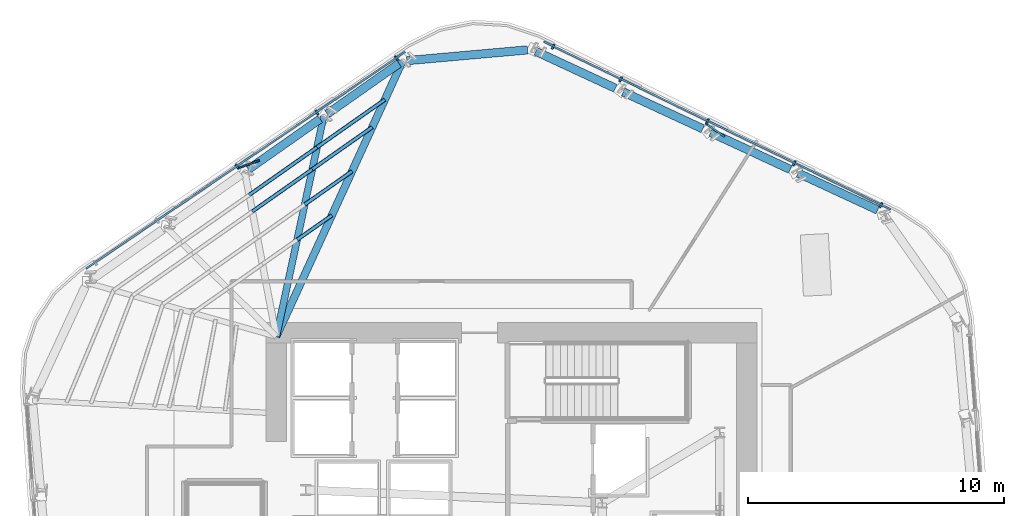
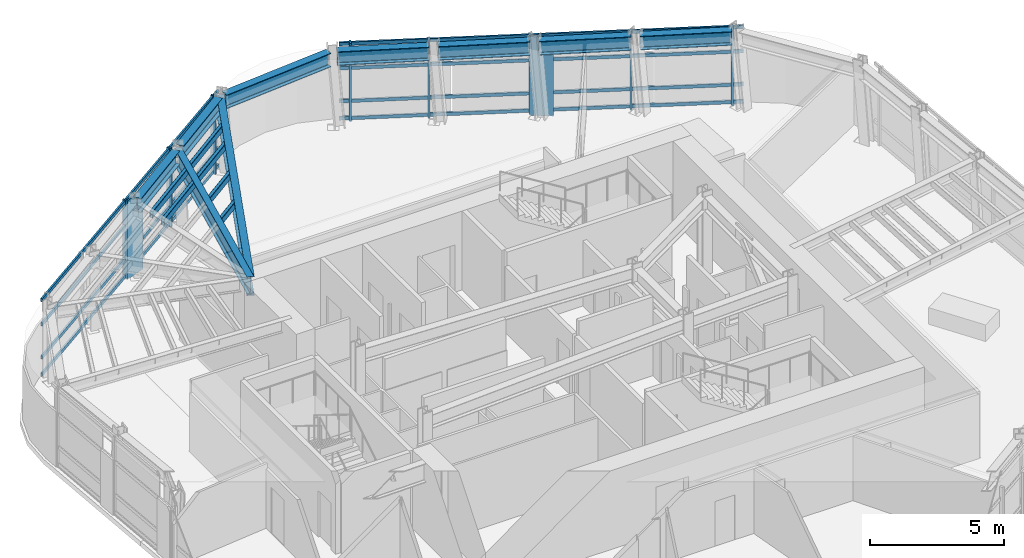
# One storey, part 6 of 15: 24 members, 9 beams, 2 elements without a shape of their own.
"""IFC4 building model written with IfcOpenShell, lengths in metres."""

from ifc_helpers import new_model, si_unit, direction, frame, origin, origin_2d, place, context, subcontext, project, spatial, rectangle, hollow_rectangle, i_section, extrude, material, layer, layer_set, material_profile, profile_set, type_object, element, aggregate, save


model = new_model("IFC4")

# Units and contexts
model_context = context("Model", 3, precision=1e-05, world=origin(), true_north=direction((0.0, 1.0)))
body_context = subcontext(model_context, "Body", "Model", "MODEL_VIEW")
ifc_project = project(units=[si_unit("LENGTHUNIT", "METRE"), si_unit("AREAUNIT", "SQUARE_METRE"), si_unit("VOLUMEUNIT", "CUBIC_METRE"), si_unit("PLANEANGLEUNIT", "RADIAN"), si_unit("MASSUNIT", "GRAM", prefix="KILO")], contexts=[model_context])

# Site, building, storey
site_placement = place(None, origin())
site = spatial("IfcSite", under=ifc_project, at=site_placement, CompositionType="ELEMENT")
building_placement = place(site_placement, origin())
building = spatial("IfcBuilding", under=site, at=building_placement, Name="Valkerne Bourse Tower", CompositionType="ELEMENT")
storey_placement = place(building_placement, frame((0.0, 0.0, 170.39990234375)))
storey = spatial("IfcBuildingStorey", under=building, at=storey_placement, Name="L43", CompositionType="ELEMENT", Elevation=170.39990234375)

# Beams
ifc_material_1 = material(Name="Steel ASTM A992", Category="steel")
ifc_material_profile_1 = material_profile(ifc_material_1, i_section(OverallWidth=0.32763671875, OverallDepth=0.62744140625, WebThickness=0.0166015625, FlangeThickness=0.027587890625, FilletRadius=0.020263671875, at=origin_2d()), Name="W24X146")
ifc_profile_set_1 = profile_set([ifc_material_profile_1], Name="Steel ASTM A992")
beam_type_1 = type_object("IfcBeamType", Name="BM-W24X146", PredefinedType="SPANDREL", material=ifc_profile_set_1)
beam_1_placement = place(storey_placement, frame((61.125732421875, 40.352783203125, 3.266357421875), z_axis=(-0.907042938145, 0.421038131718, 0.0), x_axis=(-0.421038131718, -0.907042938145, 0.0)))
element("IfcBeam", 1, at=beam_1_placement, inside=storey, type_object=beam_type_1, Name="L43 Hexagonal Spandrel Ring Beam 00", PredefinedType="SPANDREL", context=body_context, shape_type="SweptSolid", body=[
    extrude(i_section(OverallWidth=0.32763671875, OverallDepth=0.62744140625, WebThickness=0.0166015625, FlangeThickness=0.027587890625, FilletRadius=0.020263671875, at=origin_2d()), origin(), (0.0, 0.0, 1.0), 3.430908203125),
])
beam_2_placement = place(storey_placement, frame((57.705078125, 41.940673828125, 3.266357421875), z_axis=(-0.907057499666, 0.421006760397, 0.0), x_axis=(-0.421006760397, -0.907057499666, 0.0)))
element("IfcBeam", 2, at=beam_2_placement, inside=storey, type_object=beam_type_1, Name="L43 Hexagonal Spandrel Ring Beam 01", PredefinedType="SPANDREL", context=body_context, shape_type="SweptSolid", body=[
    extrude(i_section(OverallWidth=0.32763671875, OverallDepth=0.62744140625, WebThickness=0.0166015625, FlangeThickness=0.027587890625, FilletRadius=0.020263671875, at=origin_2d()), origin(), (0.0, 0.0, 1.0), 3.4306640625),
])
beam_3_placement = place(storey_placement, frame((54.284912109375, 43.5283203125, 3.266357421875), z_axis=(-0.907055551212, 0.421010958309, 0.0), x_axis=(-0.421010958309, -0.907055551212, 0.0)))
element("IfcBeam", 3, at=beam_3_placement, inside=storey, type_object=beam_type_1, Name="L43 Hexagonal Spandrel Ring Beam 02", PredefinedType="SPANDREL", context=body_context, shape_type="SweptSolid", body=[
    extrude(i_section(OverallWidth=0.32763671875, OverallDepth=0.62744140625, WebThickness=0.0166015625, FlangeThickness=0.027587890625, FilletRadius=0.020263671875, at=origin_2d()), origin(), (0.0, 0.0, 1.0), 3.43115234375),
])
beam_4_placement = place(storey_placement, frame((50.8642578125, 45.115966796875, 3.266357421875), z_axis=(-0.907042938145, 0.421038131718, 0.0), x_axis=(-0.421038131718, -0.907042938145, 0.0)))
element("IfcBeam", 4, at=beam_4_placement, inside=storey, type_object=beam_type_1, Name="L43 Hexagonal Spandrel Ring Beam 03", PredefinedType="SPANDREL", context=body_context, shape_type="SweptSolid", body=[
    extrude(i_section(OverallWidth=0.32763671875, OverallDepth=0.62744140625, WebThickness=0.0166015625, FlangeThickness=0.027587890625, FilletRadius=0.020263671875, at=origin_2d()), origin(), (0.0, 0.0, 1.0), 3.430908203125),
])
beam_5_placement = place(storey_placement, frame((47.4287109375, 46.6171875, 3.266357421875), z_axis=(-0.996040881943, -0.088896352564, 0.0), x_axis=(0.088896352564, -0.996040881943, 0.0)))
element("IfcBeam", 5, at=beam_5_placement, inside=storey, type_object=beam_type_1, Name="L43 Hexagonal Spandrel Ring Beam 04", PredefinedType="SPANDREL", context=body_context, shape_type="SweptSolid", body=[
    extrude(i_section(OverallWidth=0.32763671875, OverallDepth=0.62744140625, WebThickness=0.0166015625, FlangeThickness=0.027587890625, FilletRadius=0.020263671875, at=origin_2d()), origin(), (0.0, 0.0, 1.0), 4.740234375),
])
beam_6_placement = place(storey_placement, frame((42.39892578125, 46.082763671875, 3.266357421875), z_axis=(-0.818180840254, -0.57496096619, 0.0), x_axis=(0.57496096619, -0.818180840254, 0.0)))
element("IfcBeam", 6, at=beam_6_placement, inside=storey, type_object=beam_type_1, Name="L43 Hexagonal Spandrel Ring Beam 05", PredefinedType="SPANDREL", context=body_context, shape_type="SweptSolid", body=[
    extrude(i_section(OverallWidth=0.32763671875, OverallDepth=0.62744140625, WebThickness=0.0166015625, FlangeThickness=0.027587890625, FilletRadius=0.020263671875, at=origin_2d()), origin(), (0.0, 0.0, 1.0), 3.430908203125),
])
beam_7_placement = place(storey_placement, frame((39.313720703125, 43.91455078125, 3.266357421875), z_axis=(-0.818147365693, -0.575008598205, 0.0), x_axis=(0.575008598205, -0.818147365693, 0.0)))
element("IfcBeam", 7, at=beam_7_placement, inside=storey, type_object=beam_type_1, Name="L43 Hexagonal Spandrel Ring Beam 06", PredefinedType="SPANDREL", context=body_context, shape_type="SweptSolid", body=[
    extrude(i_section(OverallWidth=0.32763671875, OverallDepth=0.62744140625, WebThickness=0.0166015625, FlangeThickness=0.027587890625, FilletRadius=0.020263671875, at=origin_2d()), origin(), (0.0, 0.0, 1.0), 3.43115234375),
])
ifc_material_profile_2 = material_profile(ifc_material_1, i_section(OverallWidth=0.26806640625, OverallDepth=0.76953125, WebThickness=0.015625, FlangeThickness=0.025390625, FilletRadius=0.025390625, at=origin_2d()), Name="W30X132")
ifc_profile_set_2 = profile_set([ifc_material_profile_2], Name="Steel ASTM A992")
beam_type_2 = type_object("IfcBeamType", Name="BM-W30X132", PredefinedType="BEAM", material=ifc_profile_set_2)
beam_8_placement = place(storey_placement, frame((39.452880859375, 44.01220703125, 3.1953125), z_axis=(-0.210320148199, -0.977632566592, 0.0), x_axis=(0.977632566592, -0.210320148199, 0.0)))
element("IfcBeam", 8, at=beam_8_placement, inside=storey, type_object=beam_type_2, Name="L43 Radial Composite Floor Beam 06", PredefinedType="BEAM", context=body_context, shape_type="SweptSolid", body=[
    extrude(i_section(OverallWidth=0.26806640625, OverallDepth=0.76953125, WebThickness=0.015625, FlangeThickness=0.025390625, FilletRadius=0.025390625, at=origin_2d()), origin(), (0.0, 0.0, 1.0), 8.809326171875),
])
ifc_material_profile_3 = material_profile(ifc_material_1, i_section(OverallWidth=0.2919921875, OverallDepth=0.8583984375, WebThickness=0.01708984375, FlangeThickness=0.031005859375, FilletRadius=0.025390625, at=origin_2d()), Name="W33X169")
ifc_profile_set_3 = profile_set([ifc_material_profile_3], Name="Steel ASTM A992")
beam_type_3 = type_object("IfcBeamType", Name="BM-W33X169", PredefinedType="BEAM", material=ifc_profile_set_3)
beam_9_placement = place(storey_placement, frame((42.5380859375, 46.1806640625, 3.15087890625), z_axis=(-0.416432089217, -0.909166824664, 0.0), x_axis=(0.909166824664, -0.416432089217, 0.0)))
element("IfcBeam", 9, at=beam_9_placement, inside=storey, type_object=beam_type_3, Name="L43 Radial Composite Floor Beam 05", PredefinedType="BEAM", context=body_context, shape_type="SweptSolid", body=[
    extrude(i_section(OverallWidth=0.2919921875, OverallDepth=0.8583984375, WebThickness=0.01708984375, FlangeThickness=0.031005859375, FilletRadius=0.025390625, at=origin_2d()), origin(), (0.0, 0.0, 1.0), 11.85791015625),
])

# Curtain wall, members
ifc_material_2 = material(Name="Aluminium AA 6063-T6", Category="aluminium")
ifc_layer = layer(ifc_material_2, 0.235107421875)
ifc_layer_set = layer_set([ifc_layer], Name="Aluminium AA 6063-T6")
curtain_wall_type = type_object("IfcCurtainWallType", Name="CW-03", PredefinedType="NOTDEFINED", material=ifc_layer_set)
curtain_wall_1_placement = place(storey_placement, origin())
curtain_wall_1 = element("IfcCurtainWall", 10, at=curtain_wall_1_placement, inside=storey, type_object=curtain_wall_type, Name="L43 Hexagonal Stick Curtain Wall Face 1", PredefinedType="NOTDEFINED")
ifc_material_profile_4 = material_profile(ifc_material_2, rectangle(XDim=0.074951171875, YDim=0.199951171875, at=origin_2d()), Name="CWM-75X200")
ifc_profile_set_4 = profile_set([ifc_material_profile_4], Name="Aluminium AA 6063-T6")
member_type_1 = type_object("IfcMemberType", Name="CW-MUL-220X75", PredefinedType="MULLION", material=ifc_profile_set_4)
member_1_placement = place(storey_placement, frame((61.256591796875, 40.541015625, 0.0), z_axis=(0.0, 0.0, 1.0), x_axis=(-0.90032453496, 0.43521917668, 0.0)))
member_1 = element("IfcMember", 11, at=member_1_placement, type_object=member_type_1, Name="CW-L43-F1 Jamb Mullion 00A", PredefinedType="MULLION", context=body_context, shape_type="SweptSolid", body=[
    extrude(rectangle(XDim=0.074951171875, YDim=0.199951171875, at=origin_2d()), origin(), (0.0, 0.0, 1.0), 3.580078125),
])
member_2_placement = place(storey_placement, frame((57.861328125, 42.182373046875, 0.0), z_axis=(0.0, 0.0, 1.0), x_axis=(-0.900314143911, 0.435240671667, 0.0)))
member_2 = element("IfcMember", 12, at=member_2_placement, type_object=member_type_1, Name="CW-L43-F1 Jamb Mullion 01A", PredefinedType="MULLION", context=body_context, shape_type="SweptSolid", body=[
    extrude(rectangle(XDim=0.074951171875, YDim=0.199951171875, at=origin_2d()), origin(), (0.0, 0.0, 1.0), 3.580078125),
])
member_3_placement = place(storey_placement, frame((54.46630859375, 43.823486328125, 0.0), z_axis=(0.0, 0.0, 1.0), x_axis=(-0.90032453496, 0.43521917668, 0.0)))
member_3 = element("IfcMember", 13, at=member_3_placement, type_object=member_type_1, Name="CW-L43-F1 Jamb Mullion 02A", PredefinedType="MULLION", context=body_context, shape_type="SweptSolid", body=[
    extrude(rectangle(XDim=0.074951171875, YDim=0.199951171875, at=origin_2d()), origin(), (0.0, 0.0, 1.0), 3.580078125),
])
member_4_placement = place(storey_placement, frame((51.0712890625, 45.46484375, 0.0), z_axis=(0.0, 0.0, 1.0), x_axis=(-0.900314143911, 0.435240671667, 0.0)))
member_4 = element("IfcMember", 14, at=member_4_placement, type_object=member_type_1, Name="CW-L43-F1 Jamb Mullion 03A", PredefinedType="MULLION", context=body_context, shape_type="SweptSolid", body=[
    extrude(rectangle(XDim=0.074951171875, YDim=0.199951171875, at=origin_2d()), origin(), (0.0, 0.0, 1.0), 3.580078125),
])
member_5_placement = place(storey_placement, frame((48.432373046875, 46.740478515625, 0.0), z_axis=(0.0, 0.0, 1.0), x_axis=(-0.900314143911, 0.435240671667, 0.0)))
member_5 = element("IfcMember", 15, at=member_5_placement, type_object=member_type_1, Name="CW-L43-F1 Jamb Mullion 03B", PredefinedType="MULLION", context=body_context, shape_type="SweptSolid", body=[
    extrude(rectangle(XDim=0.074951171875, YDim=0.199951171875, at=origin_2d()), origin(), (0.0, 0.0, 1.0), 3.580078125),
])

curtain_wall_2_placement = place(storey_placement, origin())
curtain_wall_2 = element("IfcCurtainWall", 16, at=curtain_wall_2_placement, inside=storey, type_object=curtain_wall_type, Name="L43 Hexagonal Stick Curtain Wall Face 2", PredefinedType="NOTDEFINED")
member_6_placement = place(storey_placement, frame((42.30126953125, 46.290283203125, 0.0), z_axis=(0.0, 0.0, 1.0), x_axis=(-0.827080851805, -0.562082969478, 0.0)))
member_6 = element("IfcMember", 17, at=member_6_placement, type_object=member_type_1, Name="CW-L43-F2 Jamb Mullion 00A", PredefinedType="MULLION", context=body_context, shape_type="SweptSolid", body=[
    extrude(rectangle(XDim=0.074951171875, YDim=0.199951171875, at=origin_2d()), origin(), (0.0, 0.0, 1.0), 3.580078125),
])
member_7_placement = place(storey_placement, frame((39.182373046875, 44.170654296875, 0.0), z_axis=(0.0, 0.0, 1.0), x_axis=(-0.827080851805, -0.562082969478, 0.0)))
member_7 = element("IfcMember", 18, at=member_7_placement, type_object=member_type_1, Name="CW-L43-F2 Jamb Mullion 01A", PredefinedType="MULLION", context=body_context, shape_type="SweptSolid", body=[
    extrude(rectangle(XDim=0.074951171875, YDim=0.199951171875, at=origin_2d()), origin(), (0.0, 0.0, 1.0), 3.580078125),
])
member_8_placement = place(storey_placement, frame((36.0634765625, 42.051025390625, 0.0), z_axis=(0.0, 0.0, 1.0), x_axis=(-0.827080851805, -0.562082969478, 0.0)))
member_8 = element("IfcMember", 19, at=member_8_placement, type_object=member_type_1, Name="CW-L43-F2 Jamb Mullion 02A", PredefinedType="MULLION", context=body_context, shape_type="SweptSolid", body=[
    extrude(rectangle(XDim=0.074951171875, YDim=0.199951171875, at=origin_2d()), origin(), (0.0, 0.0, 1.0), 3.580078125),
])

# Member
ifc_material_profile_5 = material_profile(ifc_material_2, rectangle(XDim=0.074951171875, YDim=0.14990234375, at=origin_2d()), Name="CWT-75X150")
ifc_profile_set_5 = profile_set([ifc_material_profile_5], Name="Aluminium AA 6063-T6")
member_type_2 = type_object("IfcMemberType", Name="CW-TRN-180X65", PredefinedType="USERDEFINED", material=ifc_profile_set_5)
member_9_placement = place(storey_placement, frame((61.643310546875, 40.376220703125, 0.1201171875), z_axis=(-0.900313543134, 0.435241914399, 0.0), x_axis=(-0.435241914399, -0.900313543134, 0.0)))
member_9 = element("IfcMember", 20, at=member_9_placement, type_object=member_type_2, Name="CW-L43-F1 Continuous Face Transom 1", ObjectType="TRANSOM", PredefinedType="USERDEFINED", context=body_context, shape_type="SweptSolid", body=[
    extrude(rectangle(XDim=0.074951171875, YDim=0.14990234375, at=origin_2d()), origin(), (0.0, 0.0, 1.0), 15.083984375),
])

member_10_placement = place(storey_placement, frame((61.643310546875, 40.376220703125, 0.900146484375), z_axis=(-0.900313543134, 0.435241914399, 0.0), x_axis=(-0.435241914399, -0.900313543134, 0.0)))
member_10 = element("IfcMember", 21, at=member_10_placement, type_object=member_type_2, Name="CW-L43-F1 Continuous Face Transom 2", ObjectType="TRANSOM", PredefinedType="USERDEFINED", context=body_context, shape_type="SweptSolid", body=[
    extrude(rectangle(XDim=0.074951171875, YDim=0.14990234375, at=origin_2d()), origin(), (0.0, 0.0, 1.0), 15.083984375),
])

member_11_placement = place(storey_placement, frame((61.643310546875, 40.376220703125, 2.400146484375), z_axis=(-0.900313543134, 0.435241914399, 0.0), x_axis=(-0.435241914399, -0.900313543134, 0.0)))
member_11 = element("IfcMember", 22, at=member_11_placement, type_object=member_type_2, Name="CW-L43-F1 Continuous Face Transom 3", ObjectType="TRANSOM", PredefinedType="USERDEFINED", context=body_context, shape_type="SweptSolid", body=[
    extrude(rectangle(XDim=0.074951171875, YDim=0.14990234375, at=origin_2d()), origin(), (0.0, 0.0, 1.0), 15.083984375),
])

member_12_placement = place(storey_placement, frame((61.643310546875, 40.376220703125, 3.5), z_axis=(-0.900313543134, 0.435241914399, 0.0), x_axis=(-0.435241914399, -0.900313543134, 0.0)))
member_12 = element("IfcMember", 23, at=member_12_placement, type_object=member_type_2, Name="CW-L43-F1 Continuous Face Transom 4", ObjectType="TRANSOM", PredefinedType="USERDEFINED", context=body_context, shape_type="SweptSolid", body=[
    extrude(rectangle(XDim=0.074951171875, YDim=0.14990234375, at=origin_2d()), origin(), (0.0, 0.0, 1.0), 15.083984375),
])

aggregate(curtain_wall_1, [member_9, member_10, member_11, member_12, member_1, member_2, member_3, member_4, member_5])

member_13_placement = place(storey_placement, frame((42.637451171875, 46.542724609375, 0.1201171875), z_axis=(-0.827084518139, -0.562077574588, 0.0), x_axis=(0.562077574588, -0.827084518139, 0.0)))
member_13 = element("IfcMember", 24, at=member_13_placement, type_object=member_type_2, Name="CW-L43-F2 Continuous Face Transom 1", ObjectType="TRANSOM", PredefinedType="USERDEFINED", context=body_context, shape_type="SweptSolid", body=[
    extrude(rectangle(XDim=0.074951171875, YDim=0.14990234375, at=origin_2d()), origin(), (0.0, 0.0, 1.0), 15.083740234375),
])

member_14_placement = place(storey_placement, frame((42.637451171875, 46.542724609375, 0.900146484375), z_axis=(-0.827084518139, -0.562077574588, 0.0), x_axis=(0.562077574588, -0.827084518139, 0.0)))
member_14 = element("IfcMember", 25, at=member_14_placement, type_object=member_type_2, Name="CW-L43-F2 Continuous Face Transom 2", ObjectType="TRANSOM", PredefinedType="USERDEFINED", context=body_context, shape_type="SweptSolid", body=[
    extrude(rectangle(XDim=0.074951171875, YDim=0.14990234375, at=origin_2d()), origin(), (0.0, 0.0, 1.0), 15.083740234375),
])

member_15_placement = place(storey_placement, frame((42.637451171875, 46.542724609375, 2.400146484375), z_axis=(-0.827084518139, -0.562077574588, 0.0), x_axis=(0.562077574588, -0.827084518139, 0.0)))
member_15 = element("IfcMember", 26, at=member_15_placement, type_object=member_type_2, Name="CW-L43-F2 Continuous Face Transom 3", ObjectType="TRANSOM", PredefinedType="USERDEFINED", context=body_context, shape_type="SweptSolid", body=[
    extrude(rectangle(XDim=0.074951171875, YDim=0.14990234375, at=origin_2d()), origin(), (0.0, 0.0, 1.0), 15.083740234375),
])

member_16_placement = place(storey_placement, frame((42.637451171875, 46.542724609375, 3.5), z_axis=(-0.827084518139, -0.562077574588, 0.0), x_axis=(0.562077574588, -0.827084518139, 0.0)))
member_16 = element("IfcMember", 27, at=member_16_placement, type_object=member_type_2, Name="CW-L43-F2 Continuous Face Transom 4", ObjectType="TRANSOM", PredefinedType="USERDEFINED", context=body_context, shape_type="SweptSolid", body=[
    extrude(rectangle(XDim=0.074951171875, YDim=0.14990234375, at=origin_2d()), origin(), (0.0, 0.0, 1.0), 15.083740234375),
])

aggregate(curtain_wall_2, [member_13, member_14, member_15, member_16, member_6, member_7, member_8])

# Members
ifc_material_3 = material(Name="Bronze Anodised Aluminium AA 6063-T6", Category="aluminium")
ifc_material_profile_6 = material_profile(ifc_material_3, rectangle(XDim=0.070068359375, YDim=0.89990234375, at=origin_2d()), Name="FIN-70X900")
ifc_profile_set_6 = profile_set([ifc_material_profile_6], Name="Bronze Anodised Aluminium AA 6063-T6")
member_type_3 = type_object("IfcMemberType", Name="FIN-SOLAR-900", PredefinedType="USERDEFINED", material=ifc_profile_set_6)
for number, where, z_axis, x_axis, name in (
    (28, (54.76611328125, 43.478759765625, 0.004150390625), (0.0, 0.0, 1.0), (0.567165213947, 0.823604043269, 0.0), "L43 Bronze Anodised Solar Fin F1-02"),
    (29, (36.51220703125, 42.13818359375, 0.004150390625), (0.0, 0.0, 1.0), (-0.347934899398, 0.93751869623, 0.0), "L43 Bronze Anodised Solar Fin F2-02"),
):
    element("IfcMember", number, at=place(storey_placement, frame(where, z_axis=z_axis, x_axis=x_axis)), inside=storey, type_object=member_type_3, Name=name, ObjectType="SOLAR_FIN", PredefinedType="USERDEFINED", context=body_context, shape_type="SweptSolid", body=[
        extrude(rectangle(XDim=0.070068359375, YDim=0.89990234375, at=origin_2d()), origin(), (0.0, 0.0, 1.0), 3.572021484375),
    ])
ifc_material_4 = material(Name="Steel ASTM A500 Grade C", Category="steel")
ifc_material_profile_7 = material_profile(ifc_material_4, hollow_rectangle(XDim=0.14990234375, YDim=0.300048828125, WallThickness=0.012451171875, OuterFilletRadius=0.02490234375, at=origin_2d()), Name="HSS300X150X12.5")
ifc_profile_set_7 = profile_set([ifc_material_profile_7], Name="Steel ASTM A500 Grade C")
member_type_4 = type_object("IfcMemberType", Name="MBR-HSS300X150X12.5", PredefinedType="PURLIN", material=ifc_profile_set_7)
member_17_placement = place(storey_placement, frame((39.772705078125, 40.1435546875, 3.420166015625), z_axis=(-0.818124342882, -0.575041354673, 0.0), x_axis=(0.575041354673, -0.818124342882, 0.0)))
element("IfcMember", 30, at=member_17_placement, inside=storey, type_object=member_type_4, Name="L43 Secondary Composite Floor Purlin K-05", PredefinedType="PURLIN", context=body_context, shape_type="SweptSolid", body=[
    extrude(hollow_rectangle(XDim=0.14990234375, YDim=0.300048828125, WallThickness=0.012451171875, OuterFilletRadius=0.02490234375, at=origin_2d()), origin(), (0.0, 0.0, 1.0), 1.6591796875),
])
for number, where, z_axis, x_axis, name in (
    (31, (41.352783203125, 43.59326171875, 3.420166015625), (-0.818141872571, -0.575016413979, 0.0), (0.575016413979, -0.818141872571, 0.0), "L43 Secondary Composite Floor Purlin O-05"),
    (32, (39.008056640625, 41.9453125, 3.420166015625), (-0.818141872571, -0.575016413979, 0.0), (0.575016413979, -0.818141872571, 0.0), "L43 Secondary Composite Floor Purlin O-06"),
):
    element("IfcMember", number, at=place(storey_placement, frame(where, z_axis=z_axis, x_axis=x_axis)), inside=storey, type_object=member_type_4, Name=name, PredefinedType="PURLIN", context=body_context, shape_type="SweptSolid", body=[
        extrude(hollow_rectangle(XDim=0.14990234375, YDim=0.300048828125, WallThickness=0.012451171875, OuterFilletRadius=0.02490234375, at=origin_2d()), origin(), (0.0, 0.0, 1.0), 2.865966796875),
    ])
member_18_placement = place(storey_placement, frame((40.562744140625, 41.868408203125, 3.420166015625), z_axis=(-0.818135445174, -0.575025558867, 0.0), x_axis=(0.575025558867, -0.818135445174, 0.0)))
element("IfcMember", 33, at=member_18_placement, inside=storey, type_object=member_type_4, Name="L43 Secondary Composite Floor Purlin Z-05", PredefinedType="PURLIN", context=body_context, shape_type="SweptSolid", body=[
    extrude(hollow_rectangle(XDim=0.14990234375, YDim=0.300048828125, WallThickness=0.012451171875, OuterFilletRadius=0.02490234375, at=origin_2d()), origin(), (0.0, 0.0, 1.0), 2.262451171875),
])
member_19_placement = place(storey_placement, frame((41.8466796875, 44.67138671875, 3.420166015625), z_axis=(-0.818119909628, -0.575047661911, 0.0), x_axis=(0.575047661911, -0.818119909628, 0.0)))
element("IfcMember", 34, at=member_19_placement, inside=storey, type_object=member_type_4, Name="L43 Secondary Composite Floor Purlin T-05", PredefinedType="PURLIN", context=body_context, shape_type="SweptSolid", body=[
    extrude(hollow_rectangle(XDim=0.14990234375, YDim=0.300048828125, WallThickness=0.012451171875, OuterFilletRadius=0.02490234375, at=origin_2d()), origin(), (0.0, 0.0, 1.0), 3.2431640625),
])
member_20_placement = place(storey_placement, frame((39.193359375, 42.806396484375, 3.420166015625), z_axis=(-0.818190739699, -0.574946878826, 0.0), x_axis=(0.574946878826, -0.818190739699, 0.0)))
element("IfcMember", 35, at=member_20_placement, inside=storey, type_object=member_type_4, Name="L43 Secondary Composite Floor Purlin T-06", PredefinedType="PURLIN", context=body_context, shape_type="SweptSolid", body=[
    extrude(hollow_rectangle(XDim=0.14990234375, YDim=0.300048828125, WallThickness=0.012451171875, OuterFilletRadius=0.02490234375, at=origin_2d()), origin(), (0.0, 0.0, 1.0), 3.242919921875),
])

save(model, "model.ifc")
